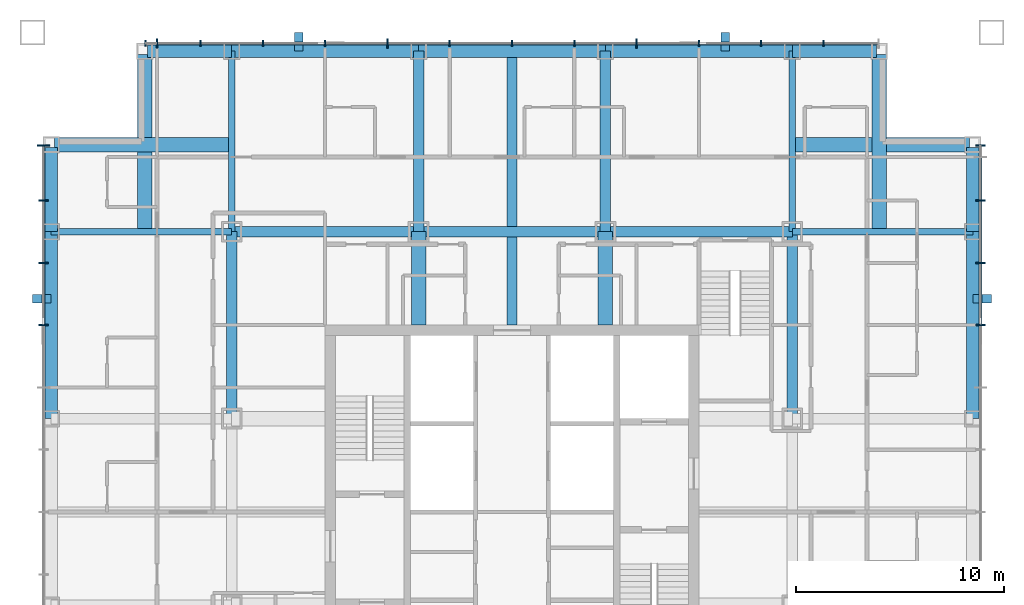
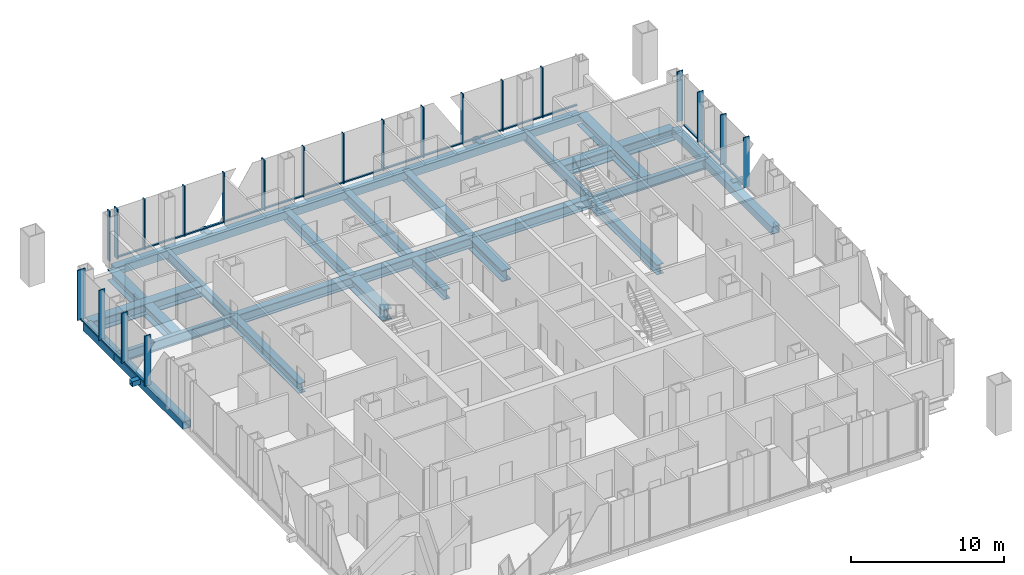
# One storey, part 4 of 21: 43 members, 27 beams, 3 elements without a shape of their own.
"""IFC4 building model written with IfcOpenShell, lengths in metres."""

from ifc_helpers import new_model, si_unit, direction, frame, origin, origin_2d, place, context, subcontext, project, spatial, rectangle, hollow_rectangle, i_section, extrude, material, layer, layer_set, material_profile, profile_set, type_object, element, aggregate, save


model = new_model("IFC4")

# Units and contexts
model_context = context("Model", 3, precision=1e-05, world=origin(), true_north=direction((0.0, 1.0)))
body_context = subcontext(model_context, "Body", "Model", "MODEL_VIEW")
ifc_project = project(units=[si_unit("LENGTHUNIT", "METRE"), si_unit("AREAUNIT", "SQUARE_METRE"), si_unit("VOLUMEUNIT", "CUBIC_METRE"), si_unit("PLANEANGLEUNIT", "RADIAN"), si_unit("MASSUNIT", "GRAM", prefix="KILO")], contexts=[model_context])

# Site, building, storey
site_placement = place(None, origin())
site = spatial("IfcSite", under=ifc_project, at=site_placement, CompositionType="ELEMENT")
building_placement = place(site_placement, origin())
building = spatial("IfcBuilding", under=site, at=building_placement, Name="Malebo Sky Hospital", CompositionType="ELEMENT")
storey_placement = place(building_placement, frame((0.0, 0.0, 229.0)))
storey = spatial("IfcBuildingStorey", under=building, at=storey_placement, Name="L55", CompositionType="ELEMENT", Elevation=229.0)

# Curtain wall, members
ifc_material_1 = material(Name="Anodised aluminium, natural silver", Category="aluminium")
ifc_layer_1 = layer(ifc_material_1, 0.25)
ifc_layer_set_1 = layer_set([ifc_layer_1], Name="WARD CURTAIN WALL NORTH AND SOUTH")
curtain_wall_type_1 = type_object("IfcCurtainWallType", Name="WARD CURTAIN WALL NORTH AND SOUTH", PredefinedType="NOTDEFINED", material=ifc_layer_set_1)
curtain_wall_1_placement = place(storey_placement, origin())
curtain_wall_1 = element("IfcCurtainWall", 1, at=curtain_wall_1_placement, inside=storey, type_object=curtain_wall_type_1, Name="NS curtain wall N", PredefinedType="NOTDEFINED")
ifc_material_profile_1 = material_profile(ifc_material_1, rectangle(XDim=0.14990234375, YDim=0.10009765625, at=origin_2d()), Name="ALUMINIUM TRANSOM 150x100")
ifc_profile_set_1 = profile_set([ifc_material_profile_1], Name="Anodised aluminium, natural silver")
member_type_1 = type_object("IfcMemberType", Name="ALUMINIUM TRANSOM 150x100", PredefinedType="USERDEFINED", material=ifc_profile_set_1)
member_1_placement = place(storey_placement, frame((42.9375, 84.574951171875, 0.050048828125), z_axis=(1.0, 0.0, 0.0), x_axis=(0.0, 1.0, 0.0)))
member_1 = element("IfcMember", 2, at=member_1_placement, type_object=member_type_1, Name="Transom 2", ObjectType="TRANSOM", PredefinedType="USERDEFINED", context=body_context, shape_type="SweptSolid", body=[
    extrude(rectangle(XDim=0.14990234375, YDim=0.10009765625, at=origin_2d()), origin(), (0.0, 0.0, 1.0), 2.02490234375),
])
member_2_placement = place(storey_placement, frame((45.03759765625, 84.574951171875, 0.050048828125), z_axis=(1.0, 0.0, 0.0), x_axis=(0.0, 1.0, 0.0)))
member_2 = element("IfcMember", 3, at=member_2_placement, type_object=member_type_1, Name="Transom 3", ObjectType="TRANSOM", PredefinedType="USERDEFINED", context=body_context, shape_type="SweptSolid", body=[
    extrude(rectangle(XDim=0.14990234375, YDim=0.10009765625, at=origin_2d()), origin(), (0.0, 0.0, 1.0), 2.9248046875),
])
member_3_placement = place(storey_placement, frame((48.03759765625, 84.574951171875, 0.050048828125), z_axis=(1.0, 0.0, 0.0), x_axis=(0.0, 1.0, 0.0)))
member_3 = element("IfcMember", 4, at=member_3_placement, type_object=member_type_1, Name="Transom 4", ObjectType="TRANSOM", PredefinedType="USERDEFINED", context=body_context, shape_type="SweptSolid", body=[
    extrude(rectangle(XDim=0.14990234375, YDim=0.10009765625, at=origin_2d()), origin(), (0.0, 0.0, 1.0), 2.9248046875),
])
member_4_placement = place(storey_placement, frame((51.03759765625, 84.574951171875, 0.050048828125), z_axis=(1.0, 0.0, 0.0), x_axis=(0.0, 1.0, 0.0)))
member_4 = element("IfcMember", 5, at=member_4_placement, type_object=member_type_1, Name="Transom 5", ObjectType="TRANSOM", PredefinedType="USERDEFINED", context=body_context, shape_type="SweptSolid", body=[
    extrude(rectangle(XDim=0.14990234375, YDim=0.10009765625, at=origin_2d()), origin(), (0.0, 0.0, 1.0), 2.9248046875),
])
member_5_placement = place(storey_placement, frame((54.03759765625, 84.574951171875, 0.050048828125), z_axis=(1.0, 0.0, 0.0), x_axis=(0.0, 1.0, 0.0)))
member_5 = element("IfcMember", 6, at=member_5_placement, type_object=member_type_1, Name="Transom 6", ObjectType="TRANSOM", PredefinedType="USERDEFINED", context=body_context, shape_type="SweptSolid", body=[
    extrude(rectangle(XDim=0.14990234375, YDim=0.10009765625, at=origin_2d()), origin(), (0.0, 0.0, 1.0), 2.9248046875),
])
member_6_placement = place(storey_placement, frame((57.03759765625, 84.574951171875, 0.050048828125), z_axis=(1.0, 0.0, 0.0), x_axis=(0.0, 1.0, 0.0)))
member_6 = element("IfcMember", 7, at=member_6_placement, type_object=member_type_1, Name="Transom 7", ObjectType="TRANSOM", PredefinedType="USERDEFINED", context=body_context, shape_type="SweptSolid", body=[
    extrude(rectangle(XDim=0.14990234375, YDim=0.10009765625, at=origin_2d()), origin(), (0.0, 0.0, 1.0), 2.9248046875),
])
member_7_placement = place(storey_placement, frame((60.03759765625, 84.574951171875, 0.050048828125), z_axis=(1.0, 0.0, 0.0), x_axis=(0.0, 1.0, 0.0)))
member_7 = element("IfcMember", 8, at=member_7_placement, type_object=member_type_1, Name="Transom 8", ObjectType="TRANSOM", PredefinedType="USERDEFINED", context=body_context, shape_type="SweptSolid", body=[
    extrude(rectangle(XDim=0.14990234375, YDim=0.10009765625, at=origin_2d()), origin(), (0.0, 0.0, 1.0), 2.9248046875),
])
member_8_placement = place(storey_placement, frame((63.03759765625, 84.574951171875, 0.050048828125), z_axis=(1.0, 0.0, 0.0), x_axis=(0.0, 1.0, 0.0)))
member_8 = element("IfcMember", 9, at=member_8_placement, type_object=member_type_1, Name="Transom 9", ObjectType="TRANSOM", PredefinedType="USERDEFINED", context=body_context, shape_type="SweptSolid", body=[
    extrude(rectangle(XDim=0.14990234375, YDim=0.10009765625, at=origin_2d()), origin(), (0.0, 0.0, 1.0), 2.9248046875),
])
member_9_placement = place(storey_placement, frame((66.03759765625, 84.574951171875, 0.050048828125), z_axis=(1.0, 0.0, 0.0), x_axis=(0.0, 1.0, 0.0)))
member_9 = element("IfcMember", 10, at=member_9_placement, type_object=member_type_1, Name="Transom 10", ObjectType="TRANSOM", PredefinedType="USERDEFINED", context=body_context, shape_type="SweptSolid", body=[
    extrude(rectangle(XDim=0.14990234375, YDim=0.10009765625, at=origin_2d()), origin(), (0.0, 0.0, 1.0), 2.9248046875),
])
member_10_placement = place(storey_placement, frame((69.03759765625, 84.574951171875, 0.050048828125), z_axis=(1.0, 0.0, 0.0), x_axis=(0.0, 1.0, 0.0)))
member_10 = element("IfcMember", 11, at=member_10_placement, type_object=member_type_1, Name="Transom 11", ObjectType="TRANSOM", PredefinedType="USERDEFINED", context=body_context, shape_type="SweptSolid", body=[
    extrude(rectangle(XDim=0.14990234375, YDim=0.10009765625, at=origin_2d()), origin(), (0.0, 0.0, 1.0), 2.9248046875),
])
member_11_placement = place(storey_placement, frame((72.03759765625, 84.574951171875, 0.050048828125), z_axis=(1.0, 0.0, 0.0), x_axis=(0.0, 1.0, 0.0)))
member_11 = element("IfcMember", 12, at=member_11_placement, type_object=member_type_1, Name="Transom 12", ObjectType="TRANSOM", PredefinedType="USERDEFINED", context=body_context, shape_type="SweptSolid", body=[
    extrude(rectangle(XDim=0.14990234375, YDim=0.10009765625, at=origin_2d()), origin(), (0.0, 0.0, 1.0), 2.9248046875),
])
member_12_placement = place(storey_placement, frame((75.03759765625, 84.574951171875, 0.050048828125), z_axis=(1.0, 0.0, 0.0), x_axis=(0.0, 1.0, 0.0)))
member_12 = element("IfcMember", 13, at=member_12_placement, type_object=member_type_1, Name="Transom 13", ObjectType="TRANSOM", PredefinedType="USERDEFINED", context=body_context, shape_type="SweptSolid", body=[
    extrude(rectangle(XDim=0.14990234375, YDim=0.10009765625, at=origin_2d()), origin(), (0.0, 0.0, 1.0), 2.58740234375),
])

ifc_layer_2 = layer(ifc_material_1, 0.25)
ifc_layer_set_2 = layer_set([ifc_layer_2], Name="WARD CURTAIN WALL EAST AND WEST")
curtain_wall_type_2 = type_object("IfcCurtainWallType", Name="WARD CURTAIN WALL EAST AND WEST", PredefinedType="NOTDEFINED", material=ifc_layer_set_2)
curtain_wall_2_placement = place(storey_placement, origin())
curtain_wall_2 = element("IfcCurtainWall", 14, at=curtain_wall_2_placement, inside=storey, type_object=curtain_wall_type_2, Name="EW curtain wall W", PredefinedType="NOTDEFINED")
member_13_placement = place(storey_placement, frame((37.425048828125, 71.03759765625, 0.050048828125), z_axis=(0.0, 1.0, 0.0), x_axis=(-1.0, 0.0, 0.0)))
member_13 = element("IfcMember", 15, at=member_13_placement, type_object=member_type_1, Name="Transom 11", ObjectType="TRANSOM", PredefinedType="USERDEFINED", context=body_context, shape_type="SweptSolid", body=[
    extrude(rectangle(XDim=0.14990234375, YDim=0.10009765625, at=origin_2d()), origin(), (0.0, 0.0, 1.0), 2.9248046875),
])
member_14_placement = place(storey_placement, frame((37.425048828125, 74.03759765625, 0.050048828125), z_axis=(0.0, 1.0, 0.0), x_axis=(-1.0, 0.0, 0.0)))
member_14 = element("IfcMember", 16, at=member_14_placement, type_object=member_type_1, Name="Transom 12", ObjectType="TRANSOM", PredefinedType="USERDEFINED", context=body_context, shape_type="SweptSolid", body=[
    extrude(rectangle(XDim=0.14990234375, YDim=0.10009765625, at=origin_2d()), origin(), (0.0, 0.0, 1.0), 2.9248046875),
])
member_15_placement = place(storey_placement, frame((37.425048828125, 77.03759765625, 0.050048828125), z_axis=(0.0, 1.0, 0.0), x_axis=(-1.0, 0.0, 0.0)))
member_15 = element("IfcMember", 17, at=member_15_placement, type_object=member_type_1, Name="Transom 13", ObjectType="TRANSOM", PredefinedType="USERDEFINED", context=body_context, shape_type="SweptSolid", body=[
    extrude(rectangle(XDim=0.14990234375, YDim=0.10009765625, at=origin_2d()), origin(), (0.0, 0.0, 1.0), 2.58740234375),
])

curtain_wall_3_placement = place(storey_placement, origin())
curtain_wall_3 = element("IfcCurtainWall", 18, at=curtain_wall_3_placement, inside=storey, type_object=curtain_wall_type_2, Name="EW curtain wall E", PredefinedType="NOTDEFINED")
member_16_placement = place(storey_placement, frame((82.574951171875, 79.0625, 0.050048828125), z_axis=(0.0, -1.0, 0.0), x_axis=(1.0, 0.0, 0.0)))
member_16 = element("IfcMember", 19, at=member_16_placement, type_object=member_type_1, Name="Transom 2", ObjectType="TRANSOM", PredefinedType="USERDEFINED", context=body_context, shape_type="SweptSolid", body=[
    extrude(rectangle(XDim=0.14990234375, YDim=0.10009765625, at=origin_2d()), origin(), (0.0, 0.0, 1.0), 2.02490234375),
])
member_17_placement = place(storey_placement, frame((82.574951171875, 76.96240234375, 0.050048828125), z_axis=(0.0, -1.0, 0.0), x_axis=(1.0, 0.0, 0.0)))
member_17 = element("IfcMember", 20, at=member_17_placement, type_object=member_type_1, Name="Transom 3", ObjectType="TRANSOM", PredefinedType="USERDEFINED", context=body_context, shape_type="SweptSolid", body=[
    extrude(rectangle(XDim=0.14990234375, YDim=0.10009765625, at=origin_2d()), origin(), (0.0, 0.0, 1.0), 2.9248046875),
])
member_18_placement = place(storey_placement, frame((82.574951171875, 73.96240234375, 0.050048828125), z_axis=(0.0, -1.0, 0.0), x_axis=(1.0, 0.0, 0.0)))
member_18 = element("IfcMember", 21, at=member_18_placement, type_object=member_type_1, Name="Transom 4", ObjectType="TRANSOM", PredefinedType="USERDEFINED", context=body_context, shape_type="SweptSolid", body=[
    extrude(rectangle(XDim=0.14990234375, YDim=0.10009765625, at=origin_2d()), origin(), (0.0, 0.0, 1.0), 2.9248046875),
])

# Members
ifc_material_2 = material(Name="Steel S355", Category="steel")
ifc_material_profile_2 = material_profile(ifc_material_2, hollow_rectangle(XDim=0.39990234375, YDim=0.39990234375, WallThickness=0.02001953125, at=origin_2d()), Name="SHS 400x20")
ifc_profile_set_2 = profile_set([ifc_material_profile_2], Name="Steel S355")
member_type_2 = type_object("IfcMemberType", Name="BRACE STRUT SHS 400x20", PredefinedType="STRUT", material=ifc_profile_set_2)
for number, where, z_axis, x_axis, name in (
    (22, (70.2666015625, 85.10009765625, -0.39990234375), (0.0, -1.0, 0.0), (1.0, 0.0, 0.0), "Brace strut CN1 L55"),
    (23, (49.7333984375, 85.10009765625, -0.39990234375), (0.0, -1.0, 0.0), (1.0, 0.0, 0.0), "Brace strut CN2 L55"),
    (24, (83.10009765625, 72.2666015625, -0.39990234375), (-1.0, 0.0, 0.0), (0.0, -1.0, 0.0), "Brace strut CE2 L55"),
    (25, (36.89990234375, 72.2666015625, -0.39990234375), (1.0, 0.0, 0.0), (0.0, 1.0, 0.0), "Brace strut CW1 L55"),
):
    element("IfcMember", number, at=place(storey_placement, frame(where, z_axis=z_axis, x_axis=x_axis)), inside=storey, type_object=member_type_2, Name=name, PredefinedType="STRUT", context=body_context, shape_type="SweptSolid", body=[
        extrude(hollow_rectangle(XDim=0.39990234375, YDim=0.39990234375, WallThickness=0.02001953125, at=origin_2d()), origin(), (0.0, 0.0, 1.0), 0.900146484375),
    ])

# Member
ifc_material_profile_3 = material_profile(ifc_material_1, rectangle(XDim=0.074951171875, YDim=0.300048828125, at=origin_2d()), Name="CW1 ALUMINIUM FIN MULLION 75x300")
ifc_profile_set_3 = profile_set([ifc_material_profile_3], Name="Anodised aluminium, natural silver")
member_type_3 = type_object("IfcMemberType", Name="CW1 ALUMINIUM FIN MULLION 75x300", PredefinedType="MULLION", material=ifc_profile_set_3)
member_19_placement = place(storey_placement, frame((42.33740234375, 84.574951171875, 0.0), z_axis=(0.0, 0.0, 1.0), x_axis=(1.0, 0.0, 0.0)))
member_19 = element("IfcMember", 26, at=member_19_placement, type_object=member_type_3, Name="Fin mullion 1", PredefinedType="MULLION", context=body_context, shape_type="SweptSolid", body=[
    extrude(rectangle(XDim=0.074951171875, YDim=0.300048828125, at=origin_2d()), origin(), (0.0, 0.0, 1.0), 4.0),
])

member_20_placement = place(storey_placement, frame((45.0, 84.574951171875, 0.0), z_axis=(0.0, 0.0, 1.0), x_axis=(1.0, 0.0, 0.0)))
member_20 = element("IfcMember", 27, at=member_20_placement, type_object=member_type_3, Name="Fin mullion 3", PredefinedType="MULLION", context=body_context, shape_type="SweptSolid", body=[
    extrude(rectangle(XDim=0.074951171875, YDim=0.300048828125, at=origin_2d()), origin(), (0.0, 0.0, 1.0), 4.0),
])

member_21_placement = place(storey_placement, frame((48.0, 84.574951171875, 0.0), z_axis=(0.0, 0.0, 1.0), x_axis=(1.0, 0.0, 0.0)))
member_21 = element("IfcMember", 28, at=member_21_placement, type_object=member_type_3, Name="Fin mullion 4", PredefinedType="MULLION", context=body_context, shape_type="SweptSolid", body=[
    extrude(rectangle(XDim=0.074951171875, YDim=0.300048828125, at=origin_2d()), origin(), (0.0, 0.0, 1.0), 4.0),
])

member_22_placement = place(storey_placement, frame((51.0, 84.574951171875, 0.0), z_axis=(0.0, 0.0, 1.0), x_axis=(1.0, 0.0, 0.0)))
member_22 = element("IfcMember", 29, at=member_22_placement, type_object=member_type_3, Name="Fin mullion 5", PredefinedType="MULLION", context=body_context, shape_type="SweptSolid", body=[
    extrude(rectangle(XDim=0.074951171875, YDim=0.300048828125, at=origin_2d()), origin(), (0.0, 0.0, 1.0), 4.0),
])

member_23_placement = place(storey_placement, frame((57.0, 84.574951171875, 0.0), z_axis=(0.0, 0.0, 1.0), x_axis=(1.0, 0.0, 0.0)))
member_23 = element("IfcMember", 30, at=member_23_placement, type_object=member_type_3, Name="Fin mullion 7", PredefinedType="MULLION", context=body_context, shape_type="SweptSolid", body=[
    extrude(rectangle(XDim=0.074951171875, YDim=0.300048828125, at=origin_2d()), origin(), (0.0, 0.0, 1.0), 4.0),
])

member_24_placement = place(storey_placement, frame((60.0, 84.574951171875, 0.0), z_axis=(0.0, 0.0, 1.0), x_axis=(1.0, 0.0, 0.0)))
member_24 = element("IfcMember", 31, at=member_24_placement, type_object=member_type_3, Name="Fin mullion 8", PredefinedType="MULLION", context=body_context, shape_type="SweptSolid", body=[
    extrude(rectangle(XDim=0.074951171875, YDim=0.300048828125, at=origin_2d()), origin(), (0.0, 0.0, 1.0), 4.0),
])

member_25_placement = place(storey_placement, frame((63.0, 84.574951171875, 0.0), z_axis=(0.0, 0.0, 1.0), x_axis=(1.0, 0.0, 0.0)))
member_25 = element("IfcMember", 32, at=member_25_placement, type_object=member_type_3, Name="Fin mullion 9", PredefinedType="MULLION", context=body_context, shape_type="SweptSolid", body=[
    extrude(rectangle(XDim=0.074951171875, YDim=0.300048828125, at=origin_2d()), origin(), (0.0, 0.0, 1.0), 4.0),
])

member_26_placement = place(storey_placement, frame((69.0, 84.574951171875, 0.0), z_axis=(0.0, 0.0, 1.0), x_axis=(1.0, 0.0, 0.0)))
member_26 = element("IfcMember", 33, at=member_26_placement, type_object=member_type_3, Name="Fin mullion 11", PredefinedType="MULLION", context=body_context, shape_type="SweptSolid", body=[
    extrude(rectangle(XDim=0.074951171875, YDim=0.300048828125, at=origin_2d()), origin(), (0.0, 0.0, 1.0), 4.0),
])

member_27_placement = place(storey_placement, frame((72.0, 84.574951171875, 0.0), z_axis=(0.0, 0.0, 1.0), x_axis=(1.0, 0.0, 0.0)))
member_27 = element("IfcMember", 34, at=member_27_placement, type_object=member_type_3, Name="Fin mullion 12", PredefinedType="MULLION", context=body_context, shape_type="SweptSolid", body=[
    extrude(rectangle(XDim=0.074951171875, YDim=0.300048828125, at=origin_2d()), origin(), (0.0, 0.0, 1.0), 4.0),
])

member_28_placement = place(storey_placement, frame((75.0, 84.574951171875, 0.0), z_axis=(0.0, 0.0, 1.0), x_axis=(1.0, 0.0, 0.0)))
member_28 = element("IfcMember", 35, at=member_28_placement, type_object=member_type_3, Name="Fin mullion 13", PredefinedType="MULLION", context=body_context, shape_type="SweptSolid", body=[
    extrude(rectangle(XDim=0.074951171875, YDim=0.300048828125, at=origin_2d()), origin(), (0.0, 0.0, 1.0), 4.0),
])

ifc_material_profile_4 = material_profile(ifc_material_1, rectangle(XDim=0.074951171875, YDim=0.449951171875, at=origin_2d()), Name="CW1 ALUMINIUM FIN MULLION 75x450")
ifc_profile_set_4 = profile_set([ifc_material_profile_4], Name="Anodised aluminium, natural silver")
member_type_4 = type_object("IfcMemberType", Name="CW1 ALUMINIUM FIN MULLION 75x450", PredefinedType="MULLION", material=ifc_profile_set_4)
member_29_placement = place(storey_placement, frame((42.89990234375, 84.574951171875, 0.0), z_axis=(0.0, 0.0, 1.0), x_axis=(1.0, 0.0, 0.0)))
member_29 = element("IfcMember", 36, at=member_29_placement, type_object=member_type_4, Name="Fin mullion 2", PredefinedType="MULLION", context=body_context, shape_type="SweptSolid", body=[
    extrude(rectangle(XDim=0.074951171875, YDim=0.449951171875, at=origin_2d()), origin(), (0.0, 0.0, 1.0), 4.0),
])

member_30_placement = place(storey_placement, frame((54.0, 84.574951171875, 0.0), z_axis=(0.0, 0.0, 1.0), x_axis=(1.0, 0.0, 0.0)))
member_30 = element("IfcMember", 37, at=member_30_placement, type_object=member_type_4, Name="Fin mullion 6", PredefinedType="MULLION", context=body_context, shape_type="SweptSolid", body=[
    extrude(rectangle(XDim=0.074951171875, YDim=0.449951171875, at=origin_2d()), origin(), (0.0, 0.0, 1.0), 4.0),
])

member_31_placement = place(storey_placement, frame((66.0, 84.574951171875, 0.0), z_axis=(0.0, 0.0, 1.0), x_axis=(1.0, 0.0, 0.0)))
member_31 = element("IfcMember", 38, at=member_31_placement, type_object=member_type_4, Name="Fin mullion 10", PredefinedType="MULLION", context=body_context, shape_type="SweptSolid", body=[
    extrude(rectangle(XDim=0.074951171875, YDim=0.449951171875, at=origin_2d()), origin(), (0.0, 0.0, 1.0), 4.0),
])

aggregate(curtain_wall_1, [member_19, member_29, member_20, member_21, member_22, member_30, member_23, member_24, member_25, member_31, member_26, member_27, member_28, member_1, member_2, member_3, member_4, member_5, member_6, member_7, member_8, member_9, member_10, member_11, member_12])

ifc_material_profile_5 = material_profile(ifc_material_1, rectangle(XDim=0.074951171875, YDim=0.449951171875, at=origin_2d()), Name="CW2 ALUMINIUM FIN MULLION 75x450")
ifc_profile_set_5 = profile_set([ifc_material_profile_5], Name="Anodised aluminium, natural silver")
member_type_5 = type_object("IfcMemberType", Name="CW2 ALUMINIUM FIN MULLION 75x450", PredefinedType="MULLION", material=ifc_profile_set_5)
member_32_placement = place(storey_placement, frame((37.425048828125, 71.0, 0.0), z_axis=(0.0, 0.0, 1.0), x_axis=(0.0, 1.0, 0.0)))
member_32 = element("IfcMember", 39, at=member_32_placement, type_object=member_type_5, Name="Fin mullion 11", PredefinedType="MULLION", context=body_context, shape_type="SweptSolid", body=[
    extrude(rectangle(XDim=0.074951171875, YDim=0.449951171875, at=origin_2d()), origin(), (0.0, 0.0, 1.0), 4.0),
])

member_33_placement = place(storey_placement, frame((37.425048828125, 74.0, 0.0), z_axis=(0.0, 0.0, 1.0), x_axis=(0.0, 1.0, 0.0)))
member_33 = element("IfcMember", 40, at=member_33_placement, type_object=member_type_5, Name="Fin mullion 12", PredefinedType="MULLION", context=body_context, shape_type="SweptSolid", body=[
    extrude(rectangle(XDim=0.074951171875, YDim=0.449951171875, at=origin_2d()), origin(), (0.0, 0.0, 1.0), 4.0),
])

member_34_placement = place(storey_placement, frame((37.425048828125, 77.0, 0.0), z_axis=(0.0, 0.0, 1.0), x_axis=(0.0, 1.0, 0.0)))
member_34 = element("IfcMember", 41, at=member_34_placement, type_object=member_type_5, Name="Fin mullion 13", PredefinedType="MULLION", context=body_context, shape_type="SweptSolid", body=[
    extrude(rectangle(XDim=0.074951171875, YDim=0.449951171875, at=origin_2d()), origin(), (0.0, 0.0, 1.0), 4.0),
])

member_35_placement = place(storey_placement, frame((82.574951171875, 79.66259765625, 0.0), z_axis=(0.0, 0.0, 1.0), x_axis=(0.0, -1.0, 0.0)))
member_35 = element("IfcMember", 42, at=member_35_placement, type_object=member_type_5, Name="Fin mullion 1", PredefinedType="MULLION", context=body_context, shape_type="SweptSolid", body=[
    extrude(rectangle(XDim=0.074951171875, YDim=0.449951171875, at=origin_2d()), origin(), (0.0, 0.0, 1.0), 4.0),
])

member_36_placement = place(storey_placement, frame((82.574951171875, 77.0, 0.0), z_axis=(0.0, 0.0, 1.0), x_axis=(0.0, -1.0, 0.0)))
member_36 = element("IfcMember", 43, at=member_36_placement, type_object=member_type_5, Name="Fin mullion 3", PredefinedType="MULLION", context=body_context, shape_type="SweptSolid", body=[
    extrude(rectangle(XDim=0.074951171875, YDim=0.449951171875, at=origin_2d()), origin(), (0.0, 0.0, 1.0), 4.0),
])

member_37_placement = place(storey_placement, frame((82.574951171875, 74.0, 0.0), z_axis=(0.0, 0.0, 1.0), x_axis=(0.0, -1.0, 0.0)))
member_37 = element("IfcMember", 44, at=member_37_placement, type_object=member_type_5, Name="Fin mullion 4", PredefinedType="MULLION", context=body_context, shape_type="SweptSolid", body=[
    extrude(rectangle(XDim=0.074951171875, YDim=0.449951171875, at=origin_2d()), origin(), (0.0, 0.0, 1.0), 4.0),
])

member_38_placement = place(storey_placement, frame((82.574951171875, 71.0, 0.0), z_axis=(0.0, 0.0, 1.0), x_axis=(0.0, -1.0, 0.0)))
member_38 = element("IfcMember", 45, at=member_38_placement, type_object=member_type_5, Name="Fin mullion 5", PredefinedType="MULLION", context=body_context, shape_type="SweptSolid", body=[
    extrude(rectangle(XDim=0.074951171875, YDim=0.449951171875, at=origin_2d()), origin(), (0.0, 0.0, 1.0), 4.0),
])

aggregate(curtain_wall_3, [member_35, member_36, member_37, member_38, member_16, member_17, member_18])

ifc_material_profile_6 = material_profile(ifc_material_1, rectangle(XDim=0.074951171875, YDim=0.60009765625, at=origin_2d()), Name="CW2 ALUMINIUM FIN MULLION 75x600")
ifc_profile_set_6 = profile_set([ifc_material_profile_6], Name="Anodised aluminium, natural silver")
member_type_6 = type_object("IfcMemberType", Name="CW2 ALUMINIUM FIN MULLION 75x600", PredefinedType="MULLION", material=ifc_profile_set_6)
member_39_placement = place(storey_placement, frame((37.425048828125, 79.66259765625, 0.0), z_axis=(0.0, 0.0, 1.0), x_axis=(0.0, 1.0, 0.0)))
member_39 = element("IfcMember", 46, at=member_39_placement, type_object=member_type_6, Name="Fin mullion 14", PredefinedType="MULLION", context=body_context, shape_type="SweptSolid", body=[
    extrude(rectangle(XDim=0.074951171875, YDim=0.60009765625, at=origin_2d()), origin(), (0.0, 0.0, 1.0), 4.0),
])

aggregate(curtain_wall_2, [member_32, member_33, member_34, member_39, member_13, member_14, member_15])

# Beams
ifc_material_3 = material(Name="Steel S460", Category="steel")
ifc_material_profile_7 = material_profile(ifc_material_3, hollow_rectangle(XDim=0.60009765625, YDim=0.60009765625, WallThickness=0.0400390625, at=origin_2d()), Name="BOX 600x600x40")
ifc_profile_set_7 = profile_set([ifc_material_profile_7], Name="Steel S460")
beam_type_1 = type_object("IfcBeamType", Name="EDGE BEAM BOX 600x600x40", PredefinedType="BEAM", material=ifc_profile_set_7)
beam_1_placement = place(storey_placement, frame((37.800048828125, 66.5, -0.550048828125), z_axis=(0.0, 1.0, 0.0), x_axis=(-1.0, 0.0, 0.0)))
element("IfcBeam", 47, at=beam_1_placement, inside=storey, type_object=beam_type_1, Name="Beam 003 L55", PredefinedType="BEAM", context=body_context, shape_type="SweptSolid", body=[
    extrude(hollow_rectangle(XDim=0.60009765625, YDim=0.60009765625, WallThickness=0.0400390625, at=origin_2d()), origin(), (0.0, 0.0, 1.0), 9.0),
])
beam_2_placement = place(storey_placement, frame((37.800048828125, 75.5, -0.550048828125), z_axis=(0.0, 1.0, 0.0), x_axis=(-1.0, 0.0, 0.0)))
element("IfcBeam", 48, at=beam_2_placement, inside=storey, type_object=beam_type_1, Name="Beam 004 L55", PredefinedType="BEAM", context=body_context, shape_type="SweptSolid", body=[
    extrude(hollow_rectangle(XDim=0.60009765625, YDim=0.60009765625, WallThickness=0.0400390625, at=origin_2d()), origin(), (0.0, 0.0, 1.0), 4.050048828125),
])
beam_3_placement = place(storey_placement, frame((82.199951171875, 66.5, -0.550048828125), z_axis=(0.0, 1.0, 0.0), x_axis=(-1.0, 0.0, 0.0)))
element("IfcBeam", 49, at=beam_3_placement, inside=storey, type_object=beam_type_1, Name="Beam 032 L55", PredefinedType="BEAM", context=body_context, shape_type="SweptSolid", body=[
    extrude(hollow_rectangle(XDim=0.60009765625, YDim=0.60009765625, WallThickness=0.0400390625, at=origin_2d()), origin(), (0.0, 0.0, 1.0), 9.0),
])
for number, where, z_axis, x_axis, name in (
    (50, (82.199951171875, 75.5, -0.550048828125), (0.0, 1.0, 0.0), (-1.0, 0.0, 0.0), "Beam 033 L55"),
    (51, (42.449951171875, 84.199951171875, -0.550048828125), (1.0, 0.0, 0.0), (0.0, 1.0, 0.0), "Beam 063 L55"),
):
    element("IfcBeam", number, at=place(storey_placement, frame(where, z_axis=z_axis, x_axis=x_axis)), inside=storey, type_object=beam_type_1, Name=name, PredefinedType="BEAM", context=body_context, shape_type="SweptSolid", body=[
        extrude(hollow_rectangle(XDim=0.60009765625, YDim=0.60009765625, WallThickness=0.0400390625, at=origin_2d()), origin(), (0.0, 0.0, 1.0), 4.050048828125),
    ])
for number, where, z_axis, x_axis, name in (
    (52, (46.5, 84.199951171875, -0.550048828125), (1.0, 0.0, 0.0), (0.0, 1.0, 0.0), "Beam 064 L55"),
    (53, (55.5, 84.199951171875, -0.550048828125), (1.0, 0.0, 0.0), (0.0, 1.0, 0.0), "Beam 065 L55"),
    (54, (64.5, 84.199951171875, -0.550048828125), (1.0, 0.0, 0.0), (0.0, 1.0, 0.0), "Beam 066 L55"),
):
    element("IfcBeam", number, at=place(storey_placement, frame(where, z_axis=z_axis, x_axis=x_axis)), inside=storey, type_object=beam_type_1, Name=name, PredefinedType="BEAM", context=body_context, shape_type="SweptSolid", body=[
        extrude(hollow_rectangle(XDim=0.60009765625, YDim=0.60009765625, WallThickness=0.0400390625, at=origin_2d()), origin(), (0.0, 0.0, 1.0), 9.0),
    ])
beam_4_placement = place(storey_placement, frame((73.5, 84.199951171875, -0.550048828125), z_axis=(1.0, 0.0, 0.0), x_axis=(0.0, 1.0, 0.0)))
element("IfcBeam", 55, at=beam_4_placement, inside=storey, type_object=beam_type_1, Name="Beam 067 L55", PredefinedType="BEAM", context=body_context, shape_type="SweptSolid", body=[
    extrude(hollow_rectangle(XDim=0.60009765625, YDim=0.60009765625, WallThickness=0.0400390625, at=origin_2d()), origin(), (0.0, 0.0, 1.0), 4.050048828125),
])
ifc_material_profile_8 = material_profile(ifc_material_2, i_section(OverallWidth=0.5, OverallDepth=0.800048828125, WebThickness=0.030029296875, FlangeThickness=0.050048828125, at=origin_2d()), Name="PG 800x500x30x50")
ifc_profile_set_8 = profile_set([ifc_material_profile_8], Name="Steel S355")
beam_type_2 = type_object("IfcBeamType", Name="FLOOR BEAM PG 800x500x30x50", PredefinedType="BEAM", material=ifc_profile_set_8)
beam_5_placement = place(storey_placement, frame((46.5, 66.5, -0.64990234375), z_axis=(0.0, 1.0, 0.0), x_axis=(-1.0, 0.0, 0.0)))
element("IfcBeam", 56, at=beam_5_placement, inside=storey, type_object=beam_type_2, Name="Beam 010 L55", PredefinedType="BEAM", context=body_context, shape_type="SweptSolid", body=[
    extrude(i_section(OverallWidth=0.5, OverallDepth=0.800048828125, WebThickness=0.030029296875, FlangeThickness=0.050048828125, at=origin_2d()), origin(), (0.0, 0.0, 1.0), 9.0),
])
beam_6_placement = place(storey_placement, frame((55.5, 75.5, -0.64990234375), z_axis=(0.0, 1.0, 0.0), x_axis=(-1.0, 0.0, 0.0)))
element("IfcBeam", 57, at=beam_6_placement, inside=storey, type_object=beam_type_2, Name="Beam 015 L55", PredefinedType="BEAM", context=body_context, shape_type="SweptSolid", body=[
    extrude(i_section(OverallWidth=0.5, OverallDepth=0.800048828125, WebThickness=0.030029296875, FlangeThickness=0.050048828125, at=origin_2d()), origin(), (0.0, 0.0, 1.0), 8.699951171875),
])
beam_7_placement = place(storey_placement, frame((60.0, 71.0, -0.64990234375), z_axis=(0.0, 1.0, 0.0), x_axis=(-1.0, 0.0, 0.0)))
element("IfcBeam", 58, at=beam_7_placement, inside=storey, type_object=beam_type_2, Name="Beam 017 L55", PredefinedType="BEAM", context=body_context, shape_type="SweptSolid", body=[
    extrude(i_section(OverallWidth=0.5, OverallDepth=0.800048828125, WebThickness=0.030029296875, FlangeThickness=0.050048828125, at=origin_2d()), origin(), (0.0, 0.0, 1.0), 13.199951171875),
])
beam_8_placement = place(storey_placement, frame((64.5, 75.5, -0.64990234375), z_axis=(0.0, 1.0, 0.0), x_axis=(-1.0, 0.0, 0.0)))
element("IfcBeam", 59, at=beam_8_placement, inside=storey, type_object=beam_type_2, Name="Beam 021 L55", PredefinedType="BEAM", context=body_context, shape_type="SweptSolid", body=[
    extrude(i_section(OverallWidth=0.5, OverallDepth=0.800048828125, WebThickness=0.030029296875, FlangeThickness=0.050048828125, at=origin_2d()), origin(), (0.0, 0.0, 1.0), 8.699951171875),
])
for number, where, z_axis, x_axis, name in (
    (60, (73.5, 66.5, -0.64990234375), (0.0, 1.0, 0.0), (-1.0, 0.0, 0.0), "Beam 025 L55"),
    (61, (46.5, 75.5, -0.64990234375), (1.0, 0.0, 0.0), (0.0, 1.0, 0.0), "Beam 057 L55"),
    (62, (64.5, 75.5, -0.64990234375), (1.0, 0.0, 0.0), (0.0, 1.0, 0.0), "Beam 059 L55"),
):
    element("IfcBeam", number, at=place(storey_placement, frame(where, z_axis=z_axis, x_axis=x_axis)), inside=storey, type_object=beam_type_2, Name=name, PredefinedType="BEAM", context=body_context, shape_type="SweptSolid", body=[
        extrude(i_section(OverallWidth=0.5, OverallDepth=0.800048828125, WebThickness=0.030029296875, FlangeThickness=0.050048828125, at=origin_2d()), origin(), (0.0, 0.0, 1.0), 9.0),
    ])
ifc_material_profile_9 = material_profile(ifc_material_2, i_section(OverallWidth=0.699951171875, OverallDepth=0.89990234375, WebThickness=0.0400390625, FlangeThickness=0.070068359375, at=origin_2d()), Name="PG 900x700x40x70")
ifc_profile_set_9 = profile_set([ifc_material_profile_9], Name="Steel S355")
beam_type_3 = type_object("IfcBeamType", Name="FLOOR BEAM PG 900x700x40x70", PredefinedType="BEAM", material=ifc_profile_set_9)
beam_9_placement = place(storey_placement, frame((42.300048828125, 75.5, -0.699951171875), z_axis=(0.0, 1.0, 0.0), x_axis=(-1.0, 0.0, 0.0)))
element("IfcBeam", 63, at=beam_9_placement, inside=storey, type_object=beam_type_3, Name="Beam 006 L55", PredefinedType="BEAM", context=body_context, shape_type="SweptSolid", body=[
    extrude(i_section(OverallWidth=0.699951171875, OverallDepth=0.89990234375, WebThickness=0.0400390625, FlangeThickness=0.070068359375, at=origin_2d()), origin(), (0.0, 0.0, 1.0), 8.550048828125),
])
for number, where, z_axis, x_axis, name in (
    (64, (55.5, 71.0, -0.699951171875), (0.0, 1.0, 0.0), (-1.0, 0.0, 0.0), "Beam 014 L55"),
    (65, (64.5, 71.0, -0.699951171875), (0.0, 1.0, 0.0), (-1.0, 0.0, 0.0), "Beam 020 L55"),
):
    element("IfcBeam", number, at=place(storey_placement, frame(where, z_axis=z_axis, x_axis=x_axis)), inside=storey, type_object=beam_type_3, Name=name, PredefinedType="BEAM", context=body_context, shape_type="SweptSolid", body=[
        extrude(i_section(OverallWidth=0.699951171875, OverallDepth=0.89990234375, WebThickness=0.0400390625, FlangeThickness=0.070068359375, at=origin_2d()), origin(), (0.0, 0.0, 1.0), 4.5),
    ])
for number, where, z_axis, x_axis, name in (
    (66, (77.699951171875, 75.5, -0.699951171875), (0.0, 1.0, 0.0), (-1.0, 0.0, 0.0), "Beam 028 L55"),
    (67, (37.949951171875, 79.699951171875, -0.699951171875), (1.0, 0.0, 0.0), (0.0, 1.0, 0.0), "Beam 061 L55"),
    (68, (73.5, 79.699951171875, -0.699951171875), (1.0, 0.0, 0.0), (0.0, 1.0, 0.0), "Beam 062 L55"),
):
    element("IfcBeam", number, at=place(storey_placement, frame(where, z_axis=z_axis, x_axis=x_axis)), inside=storey, type_object=beam_type_3, Name=name, PredefinedType="BEAM", context=body_context, shape_type="SweptSolid", body=[
        extrude(i_section(OverallWidth=0.699951171875, OverallDepth=0.89990234375, WebThickness=0.0400390625, FlangeThickness=0.070068359375, at=origin_2d()), origin(), (0.0, 0.0, 1.0), 8.550048828125),
    ])
ifc_material_profile_10 = material_profile(ifc_material_2, i_section(OverallWidth=0.300048828125, OverallDepth=0.800048828125, WebThickness=0.017578125, FlangeThickness=0.032958984375, FilletRadius=0.030029296875, at=origin_2d()), Name="HEB 800")
ifc_profile_set_10 = profile_set([ifc_material_profile_10], Name="Steel S355")
beam_type_4 = type_object("IfcBeamType", Name="FLOOR GIRDER HEB 800", PredefinedType="BEAM", material=ifc_profile_set_10)
for number, where, z_axis, x_axis, name in (
    (69, (46.5, 75.5, -0.64990234375), (0.0, 1.0, 0.0), (-1.0, 0.0, 0.0), "Beam 011 L55"),
    (70, (73.5, 75.5, -0.64990234375), (0.0, 1.0, 0.0), (-1.0, 0.0, 0.0), "Beam 026 L55"),
    (71, (37.800048828125, 75.5, -0.64990234375), (1.0, 0.0, 0.0), (0.0, 1.0, 0.0), "Beam 056 L55"),
    (72, (73.5, 75.5, -0.64990234375), (1.0, 0.0, 0.0), (0.0, 1.0, 0.0), "Beam 060 L55"),
):
    element("IfcBeam", number, at=place(storey_placement, frame(where, z_axis=z_axis, x_axis=x_axis)), inside=storey, type_object=beam_type_4, Name=name, PredefinedType="BEAM", context=body_context, shape_type="SweptSolid", body=[
        extrude(i_section(OverallWidth=0.300048828125, OverallDepth=0.800048828125, WebThickness=0.017578125, FlangeThickness=0.032958984375, FilletRadius=0.030029296875, at=origin_2d()), origin(), (0.0, 0.0, 1.0), 8.699951171875),
    ])
ifc_material_profile_11 = material_profile(ifc_material_2, i_section(OverallWidth=0.5, OverallDepth=0.800048828125, WebThickness=0.030029296875, FlangeThickness=0.050048828125, at=origin_2d()), Name="PG 800x500x30x50")
ifc_profile_set_11 = profile_set([ifc_material_profile_11], Name="Steel S355")
beam_type_5 = type_object("IfcBeamType", Name="RING GIRDER PG 800x500x30x50", PredefinedType="BEAM", material=ifc_profile_set_11)
beam_10_placement = place(storey_placement, frame((55.5, 75.5, -0.64990234375), z_axis=(1.0, 0.0, 0.0), x_axis=(0.0, 1.0, 0.0)))
element("IfcBeam", 73, at=beam_10_placement, inside=storey, type_object=beam_type_5, Name="Beam 058 L55", PredefinedType="BEAM", context=body_context, shape_type="SweptSolid", body=[
    extrude(i_section(OverallWidth=0.5, OverallDepth=0.800048828125, WebThickness=0.030029296875, FlangeThickness=0.050048828125, at=origin_2d()), origin(), (0.0, 0.0, 1.0), 9.0),
])

save(model, "model.ifc")
